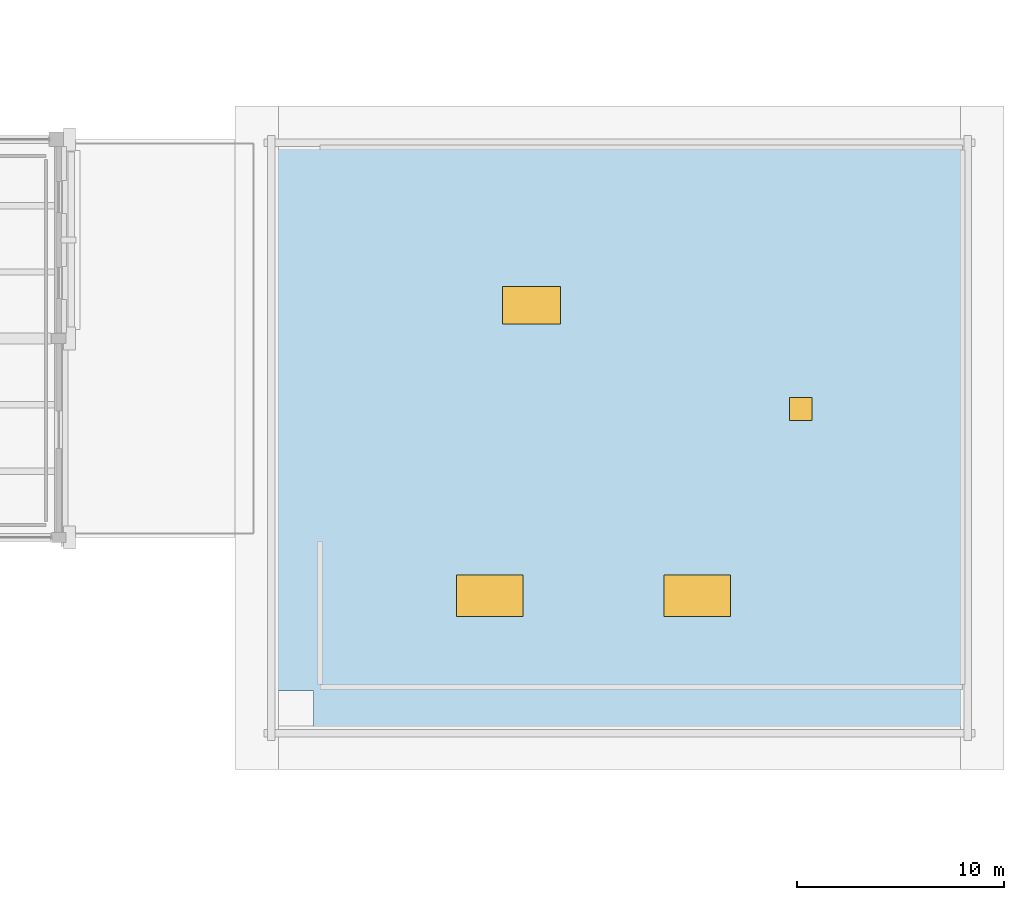
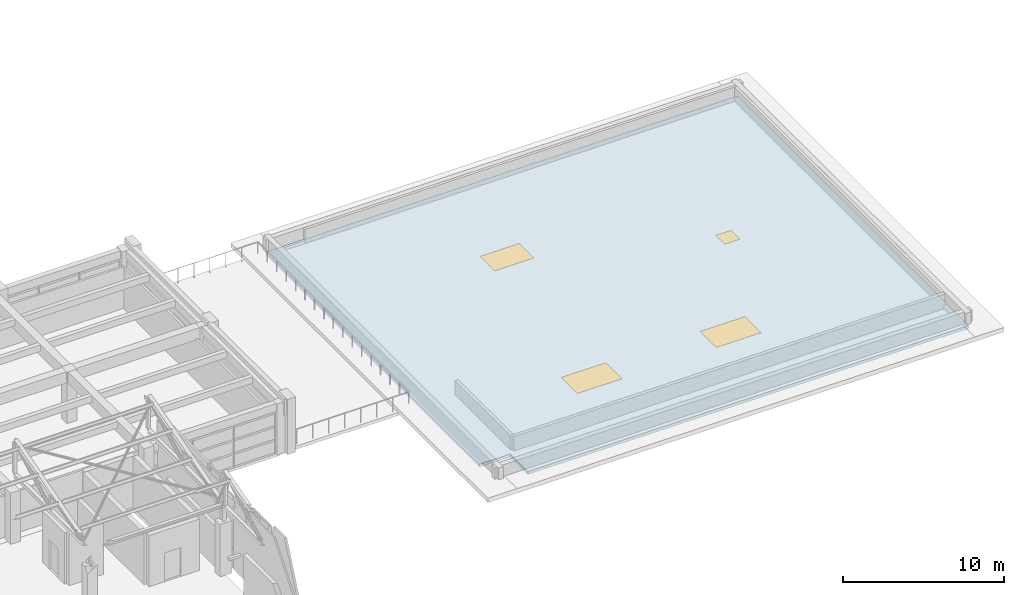
# One storey, part 38 of 71: 3 windows, 1 door, 1 slab, 4 openings.
"""IFC4 building model written with IfcOpenShell, lengths in metres."""

from ifc_helpers import new_model, si_unit, direction, frame, origin, origin_2d, place, context, subcontext, project, spatial, polyline, rectangle, outline, extrude, material, layer, layer_set, type_object, element, fill, save


model = new_model("IFC4")

# Units and contexts
model_context = context("Model", 3, precision=1e-05, world=origin(), true_north=direction((0.0, 1.0)))
body_context = subcontext(model_context, "Body", "Model", "MODEL_VIEW")
ifc_project = project(units=[si_unit("LENGTHUNIT", "METRE"), si_unit("AREAUNIT", "SQUARE_METRE"), si_unit("VOLUMEUNIT", "CUBIC_METRE"), si_unit("PLANEANGLEUNIT", "RADIAN"), si_unit("MASSUNIT", "GRAM", prefix="KILO")], contexts=[model_context])

# Site, building, storey
site_placement = place(None, origin())
site = spatial("IfcSite", under=ifc_project, at=site_placement, CompositionType="ELEMENT")
building_placement = place(site_placement, origin())
building = spatial("IfcBuilding", under=site, at=building_placement, Name="Bempovik Park Faculty of Sciences", CompositionType="ELEMENT")
storey_placement = place(building_placement, frame((0.0, 0.0, 14.10009765625)))
storey = spatial("IfcBuildingStorey", under=building, at=storey_placement, Name="L03", CompositionType="ELEMENT", Elevation=14.10009765625)

# Slab, openings, door, windows
ifc_material_1 = material(Name="Concrete C35/45", Category="concrete")
ifc_layer = layer(ifc_material_1, 0.219970703125)
ifc_layer_set = layer_set([ifc_layer], Name="Concrete C35/45")
slab_type = type_object("IfcSlabType", Name="S-38 Slab 220mm", PredefinedType="ROOF", material=ifc_layer_set)
slab_placement = place(storey_placement, frame((0.0, 0.0, -0.22021484375)))
slab = element("IfcSlab", 1, at=slab_placement, inside=storey, type_object=slab_type, Name="Flat Concrete Roof Slab RF-V3-MAIN", PredefinedType="ROOF", context=body_context, shape_type="SweptSolid", body=[
    extrude(outline(polyline([(139.5, 58.199951171875), (171.199951171875, 58.199951171875), (171.199951171875, 87.0), (137.300048828125, 87.0), (137.300048828125, 60.39990234375), (139.5, 60.39990234375), (139.5, 58.199951171875)]), holes=[polyline([(146.43994140625, 64.0400390625), (149.56005859375, 64.0400390625), (149.56005859375, 65.9599609375), (146.43994140625, 65.9599609375), (146.43994140625, 64.0400390625)]), polyline([(156.43994140625, 64.0400390625), (159.56005859375, 64.0400390625), (159.56005859375, 65.9599609375), (156.43994140625, 65.9599609375), (156.43994140625, 64.0400390625)]), polyline([(148.639892578125, 78.139892578125), (151.360107421875, 78.139892578125), (151.360107421875, 79.860107421875), (148.639892578125, 79.860107421875), (148.639892578125, 78.139892578125)]), polyline([(162.489990234375, 73.489990234375), (163.510009765625, 73.489990234375), (163.510009765625, 74.510009765625), (162.489990234375, 74.510009765625), (162.489990234375, 73.489990234375)])]), origin(), (0.0, 0.0, 1.0), 0.22021484375),
])
opening_1_placement = place(slab_placement, frame((148.0, 65.0, -0.010009765625)))
opening_1 = element("IfcOpeningElement", 2, at=opening_1_placement, cuts=slab, Name="Opening WN-80", PredefinedType="OPENING", context=body_context, shape_type="SweptSolid", body=[
    extrude(rectangle(XDim=3.199951171875, YDim=2.0, at=origin_2d()), origin(), (0.0, 0.0, 1.0), 0.240234375),
])
opening_2_placement = place(slab_placement, frame((158.0, 65.0, -0.010009765625)))
opening_2 = element("IfcOpeningElement", 3, at=opening_2_placement, cuts=slab, Name="Opening WN-80", PredefinedType="OPENING", context=body_context, shape_type="SweptSolid", body=[
    extrude(rectangle(XDim=3.199951171875, YDim=2.0, at=origin_2d()), origin(), (0.0, 0.0, 1.0), 0.240234375),
])
opening_3_placement = place(slab_placement, frame((150.0, 79.0, -0.010009765625)))
opening_3 = element("IfcOpeningElement", 4, at=opening_3_placement, cuts=slab, Name="Opening WN-50", PredefinedType="OPENING", context=body_context, shape_type="SweptSolid", body=[
    extrude(rectangle(XDim=2.800048828125, YDim=1.800048828125, at=origin_2d()), origin(), (0.0, 0.0, 1.0), 0.240234375),
])
opening_4_placement = place(slab_placement, frame((163.0, 74.0, -0.010009765625)))
opening_4 = element("IfcOpeningElement", 5, at=opening_4_placement, cuts=slab, Name="Opening RH-01", PredefinedType="OPENING", context=body_context, shape_type="SweptSolid", body=[
    extrude(rectangle(XDim=1.10009765625, YDim=1.10009765625, at=origin_2d()), origin(), (0.0, 0.0, 1.0), 0.240234375),
])
ifc_material_2 = material(Name="Anodised aluminium", Category="aluminium")
door_type = type_object("IfcDoorType", Name="RH-01 Trapdoor 1100x1100", OperationType="NOTDEFINED", PredefinedType="TRAPDOOR", material=ifc_material_2)
door_placement = place(slab_placement, frame((163.0, 74.0, 0.170166015625)))
door = element("IfcDoor", 6, at=door_placement, inside=storey, type_object=door_type, Name="Roof Maintenance Access Hatch RH-V3-01", OperationType="SWING_FIXED_LEFT", OverallHeight=1.10009765625, OverallWidth=1.10009765625, PredefinedType="TRAPDOOR", context=body_context, shape_type="SweptSolid", body=[
    extrude(rectangle(XDim=1.10009765625, YDim=1.10009765625, at=origin_2d()), origin(), (0.0, 0.0, 1.0), 0.050048828125),
])
fill(opening_4, door)
ifc_material_3 = material(Name="Tempered laminated low-E glass", Category="glass")
window_type_1 = type_object("IfcWindowType", Name="WN-50 Skylight 2800x1800", PartitioningType="SINGLE_PANEL", PredefinedType="SKYLIGHT", material=ifc_material_3)
window_1_placement = place(slab_placement, frame((150.0, 79.0, 0.170166015625)))
window_1 = element("IfcWindow", 7, at=window_1_placement, inside=storey, type_object=window_type_1, Name="Roof Skylight SKY-V3-3", OverallHeight=1.800048828125, OverallWidth=2.800048828125, PartitioningType="SINGLE_PANEL", PredefinedType="SKYLIGHT", context=body_context, shape_type="SweptSolid", body=[
    extrude(rectangle(XDim=2.800048828125, YDim=1.800048828125, at=origin_2d()), origin(), (0.0, 0.0, 1.0), 0.050048828125),
])
fill(opening_3, window_1)
window_type_2 = type_object("IfcWindowType", Name="WN-80 Skylight 3200x2000", PartitioningType="SINGLE_PANEL", PredefinedType="SKYLIGHT", material=ifc_material_3)
window_2_placement = place(slab_placement, frame((148.0, 65.0, 0.170166015625)))
window_2 = element("IfcWindow", 8, at=window_2_placement, inside=storey, type_object=window_type_2, Name="Roof Skylight SKY-V3-1", OverallHeight=2.0, OverallWidth=3.199951171875, PartitioningType="SINGLE_PANEL", PredefinedType="SKYLIGHT", context=body_context, shape_type="SweptSolid", body=[
    extrude(rectangle(XDim=3.199951171875, YDim=2.0, at=origin_2d()), origin(), (0.0, 0.0, 1.0), 0.050048828125),
])
fill(opening_1, window_2)
window_3_placement = place(slab_placement, frame((158.0, 65.0, 0.170166015625)))
window_3 = element("IfcWindow", 9, at=window_3_placement, inside=storey, type_object=window_type_2, Name="Roof Skylight SKY-V3-2", OverallHeight=2.0, OverallWidth=3.199951171875, PartitioningType="SINGLE_PANEL", PredefinedType="SKYLIGHT", context=body_context, shape_type="SweptSolid", body=[
    extrude(rectangle(XDim=3.199951171875, YDim=2.0, at=origin_2d()), origin(), (0.0, 0.0, 1.0), 0.050048828125),
])
fill(opening_2, window_3)

save(model, "model.ifc")
